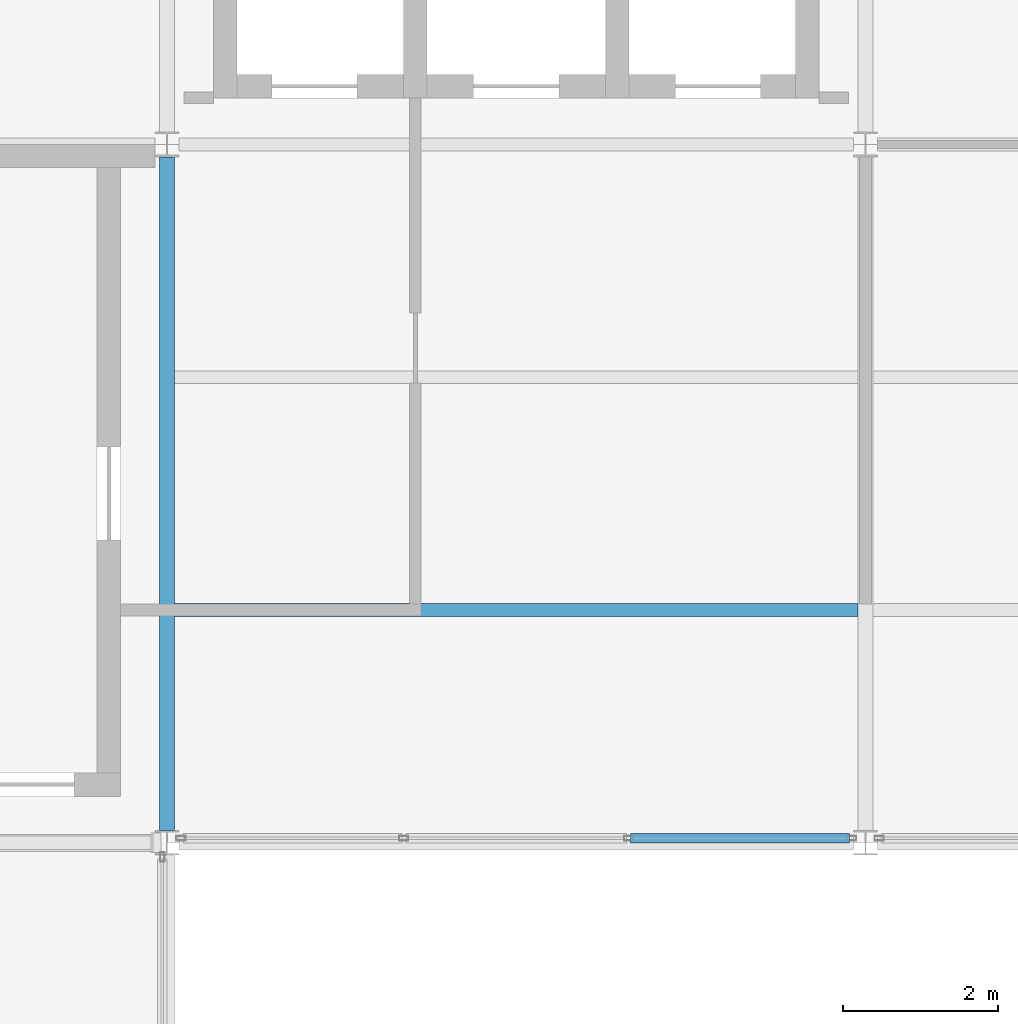
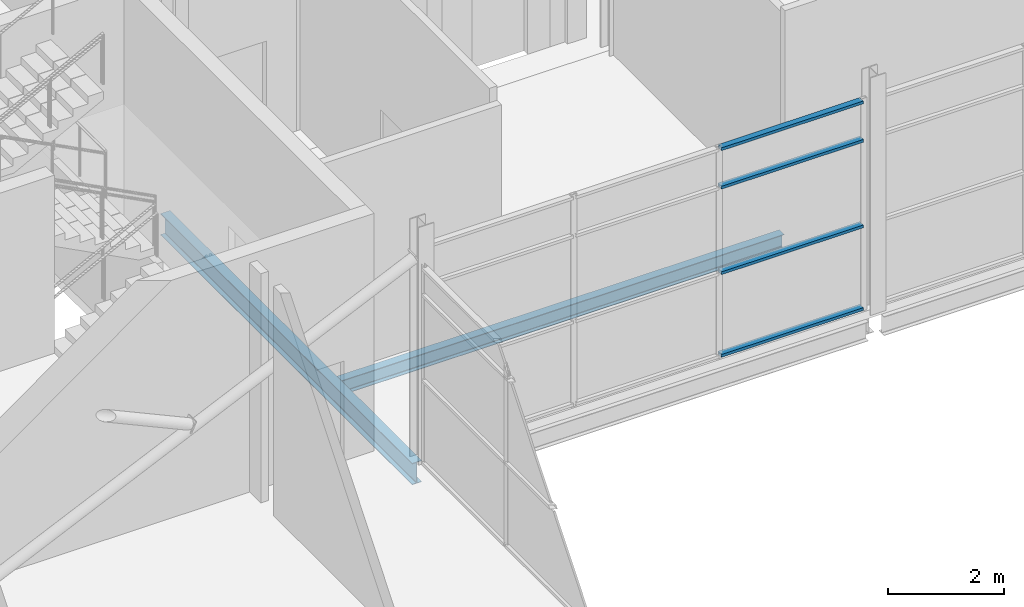
# One storey, part 23 of 61: 4 members, 2 beams, 1 element without a shape of its own.
"""IFC4 building model written with IfcOpenShell, lengths in metres."""

from ifc_helpers import new_model, si_unit, direction, frame, origin, origin_2d, place, context, subcontext, project, spatial, hollow_rectangle, i_section, extrude, material, layer, layer_set, material_profile, profile_set, type_object, element, aggregate, save


model = new_model("IFC4")

# Units and contexts
model_context = context("Model", 3, precision=1e-05, world=origin(), true_north=direction((0.0, 1.0)))
body_context = subcontext(model_context, "Body", "Model", "MODEL_VIEW")
ifc_project = project(units=[si_unit("LENGTHUNIT", "METRE"), si_unit("AREAUNIT", "SQUARE_METRE"), si_unit("VOLUMEUNIT", "CUBIC_METRE"), si_unit("PLANEANGLEUNIT", "RADIAN"), si_unit("MASSUNIT", "GRAM", prefix="KILO")], contexts=[model_context])

# Site, building, storey
site_placement = place(None, origin())
site = spatial("IfcSite", under=ifc_project, at=site_placement, CompositionType="ELEMENT")
building_placement = place(site_placement, origin())
building = spatial("IfcBuilding", under=site, at=building_placement, Name="Shorebreak Coast Museum", CompositionType="ELEMENT")
storey_placement = place(building_placement, frame((0.0, 0.0, 26.0)))
storey = spatial("IfcBuildingStorey", under=building, at=storey_placement, Name="L04", CompositionType="ELEMENT", Elevation=26.0)

# Beams
ifc_material_1 = material(Name="Steel Grade 300", Category="steel")
ifc_material_profile_1 = material_profile(ifc_material_1, i_section(OverallWidth=0.18994140625, OverallDepth=0.453857421875, WebThickness=0.008544921875, FlangeThickness=0.0126953125, FilletRadius=0.011474609375, at=origin_2d()), Name="460UB67.1")
ifc_profile_set_1 = profile_set([ifc_material_profile_1], Name="Steel Grade 300")
beam_type_1 = type_object("IfcBeamType", Name="Floor girder north-south 460UB67.1", PredefinedType="BEAM", material=ifc_profile_set_1)
beam_1_placement = place(storey_placement, frame((63.0, 81.160400390625, -0.40185546875), z_axis=(0.0, 1.0, 0.0), x_axis=(-1.0, 0.0, 0.0)))
element("IfcBeam", 1, at=beam_1_placement, inside=storey, type_object=beam_type_1, Name="Floor girder north-south L04 8K", PredefinedType="BEAM", context=body_context, shape_type="SweptSolid", body=[
    extrude(i_section(OverallWidth=0.18994140625, OverallDepth=0.453857421875, WebThickness=0.008544921875, FlangeThickness=0.0126953125, FilletRadius=0.011474609375, at=origin_2d()), origin(), (0.0, 0.0, 1.0), 8.676025390625),
])
ifc_material_2 = material(Name="Steel Grade 300", Category="steel")
ifc_material_profile_2 = material_profile(ifc_material_2, i_section(OverallWidth=0.1650390625, OverallDepth=0.303955078125, WebThickness=0.006103515625, FlangeThickness=0.01025390625, FilletRadius=0.011474609375, at=origin_2d()), Name="310UB40.4")
ifc_profile_set_2 = profile_set([ifc_material_profile_2], Name="Steel Grade 300")
beam_type_2 = type_object("IfcBeamType", Name="Floor joist 310UB40.4", PredefinedType="JOIST", material=ifc_profile_set_2)
beam_2_placement = place(storey_placement, frame((63.094970703125, 84.0, -0.326904296875), z_axis=(1.0, 0.0, 0.0), x_axis=(0.0, 1.0, 0.0)))
element("IfcBeam", 2, at=beam_2_placement, inside=storey, type_object=beam_type_2, Name="Floor joist L04 bay 8K at 3000 mm", PredefinedType="JOIST", context=body_context, shape_type="SweptSolid", body=[
    extrude(i_section(OverallWidth=0.1650390625, OverallDepth=0.303955078125, WebThickness=0.006103515625, FlangeThickness=0.01025390625, FilletRadius=0.011474609375, at=origin_2d()), origin(), (0.0, 0.0, 1.0), 8.81005859375),
])

# Curtain wall, members
ifc_material_3 = material(Name="Aluminium", Category="aluminium")
ifc_layer = layer(ifc_material_3, 0.1201171875)
ifc_layer_set = layer_set([ifc_layer], Name="Aluminium")
curtain_wall_type = type_object("IfcCurtainWallType", Name="Atrium fire screen", PredefinedType="NOTDEFINED", material=ifc_layer_set)
curtain_wall_placement = place(storey_placement, origin())
curtain_wall = element("IfcCurtainWall", 3, at=curtain_wall_placement, inside=storey, type_object=curtain_wall_type, Name="Atrium screen L04 N 54", PredefinedType="NOTDEFINED")
ifc_material_4 = material(Name="Aluminium", Category="aluminium")
ifc_material_profile_3 = material_profile(ifc_material_4, hollow_rectangle(XDim=0.1201171875, YDim=0.06005859375, WallThickness=0.00341796875, at=origin_2d()), Name="AL 60x120 RHS")
ifc_profile_set_3 = profile_set([ifc_material_profile_3], Name="Aluminium")
member_type = type_object("IfcMemberType", Name="Screen transom 120 x 50", PredefinedType="USERDEFINED", material=ifc_profile_set_3)
member_1_placement = place(storey_placement, frame((68.973876953125, 81.06005859375, 0.06005859375), z_axis=(1.0, 0.0, 0.0), x_axis=(0.0, 1.0, 0.0)))
member_1 = element("IfcMember", 4, at=member_1_placement, type_object=member_type, Name="CW4 transom 3.1", ObjectType="TRANSOM", PredefinedType="USERDEFINED", context=body_context, shape_type="SweptSolid", body=[
    extrude(hollow_rectangle(XDim=0.1201171875, YDim=0.06005859375, WallThickness=0.00341796875, at=origin_2d()), origin(), (0.0, 0.0, 1.0), 2.822509765625),
])
member_2_placement = place(storey_placement, frame((68.973876953125, 81.06005859375, 1.800048828125), z_axis=(1.0, 0.0, 0.0), x_axis=(0.0, 1.0, 0.0)))
member_2 = element("IfcMember", 5, at=member_2_placement, type_object=member_type, Name="CW4 transom 3.2", ObjectType="TRANSOM", PredefinedType="USERDEFINED", context=body_context, shape_type="SweptSolid", body=[
    extrude(hollow_rectangle(XDim=0.1201171875, YDim=0.06005859375, WallThickness=0.00341796875, at=origin_2d()), origin(), (0.0, 0.0, 1.0), 2.822509765625),
])
member_3_placement = place(storey_placement, frame((68.973876953125, 81.06005859375, 3.60009765625), z_axis=(1.0, 0.0, 0.0), x_axis=(0.0, 1.0, 0.0)))
member_3 = element("IfcMember", 6, at=member_3_placement, type_object=member_type, Name="CW4 transom 3.3", ObjectType="TRANSOM", PredefinedType="USERDEFINED", context=body_context, shape_type="SweptSolid", body=[
    extrude(hollow_rectangle(XDim=0.1201171875, YDim=0.06005859375, WallThickness=0.00341796875, at=origin_2d()), origin(), (0.0, 0.0, 1.0), 2.822509765625),
])
member_4_placement = place(storey_placement, frame((68.973876953125, 81.06005859375, 4.409423828125), z_axis=(1.0, 0.0, 0.0), x_axis=(0.0, 1.0, 0.0)))
member_4 = element("IfcMember", 7, at=member_4_placement, type_object=member_type, Name="CW4 transom 3.4", ObjectType="TRANSOM", PredefinedType="USERDEFINED", context=body_context, shape_type="SweptSolid", body=[
    extrude(hollow_rectangle(XDim=0.1201171875, YDim=0.06005859375, WallThickness=0.00341796875, at=origin_2d()), origin(), (0.0, 0.0, 1.0), 2.822509765625),
])
aggregate(curtain_wall, [member_1, member_2, member_3, member_4])

save(model, "model.ifc")
